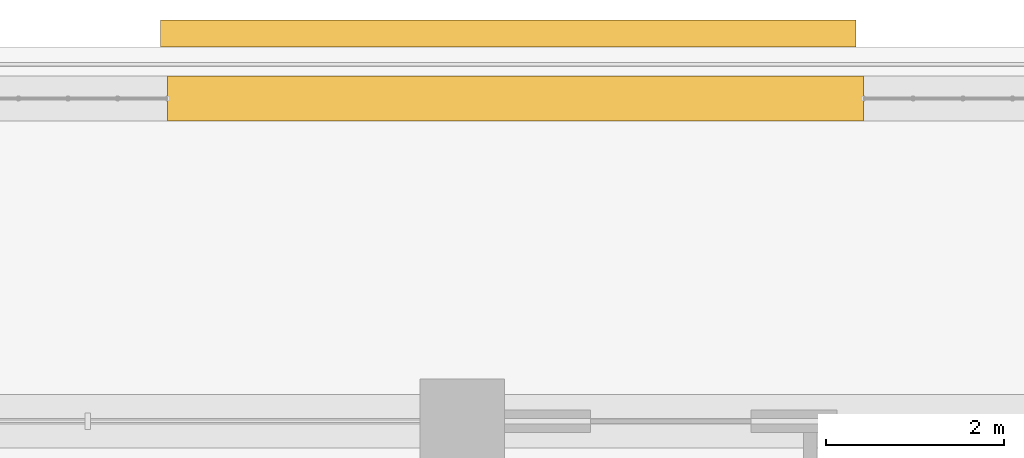
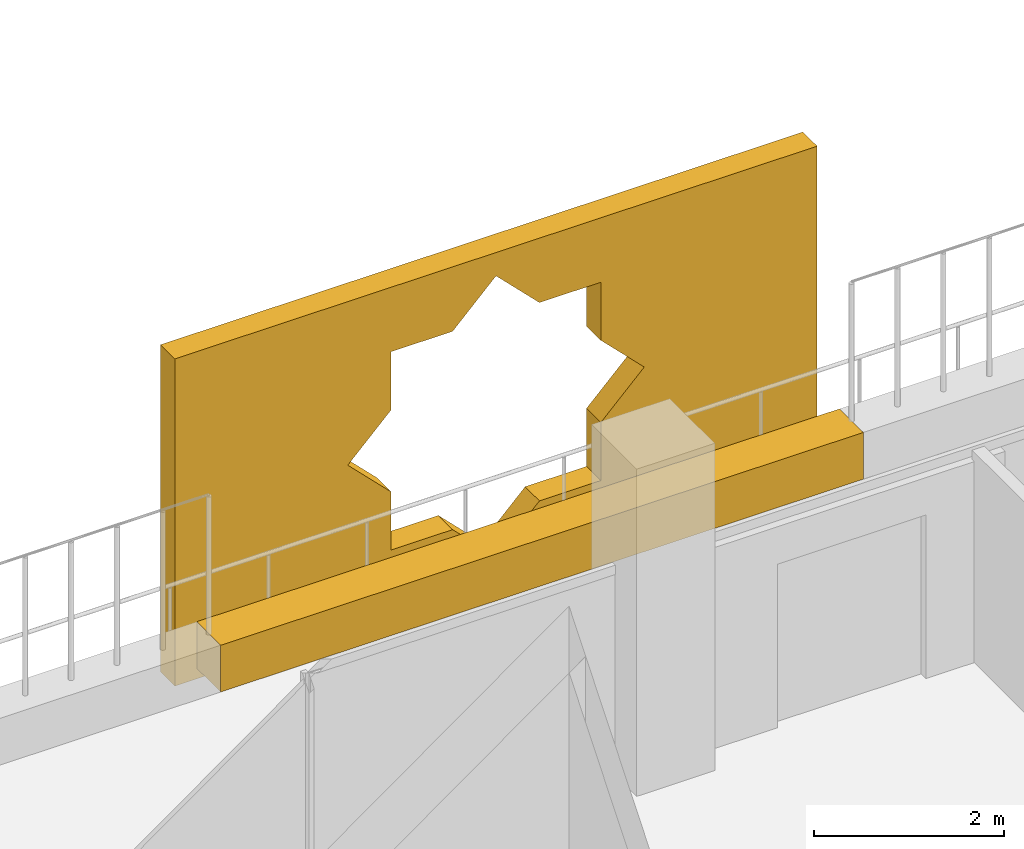
# One storey, part 19 of 22: 2 coverings.
"""IFC4 building model written with IfcOpenShell, lengths in metres."""

from ifc_helpers import new_model, si_unit, direction, frame, origin, origin_2d, place, context, subcontext, project, spatial, polyline, rectangle, outline, extrude, material, material_profile, profile_set, type_object, element, save


model = new_model("IFC4")

# Units and contexts
model_context = context("Model", 3, precision=1e-05, world=origin(), true_north=direction((0.0, 1.0)))
body_context = subcontext(model_context, "Body", "Model", "MODEL_VIEW")
ifc_project = project(units=[si_unit("LENGTHUNIT", "METRE"), si_unit("AREAUNIT", "SQUARE_METRE"), si_unit("VOLUMEUNIT", "CUBIC_METRE"), si_unit("PLANEANGLEUNIT", "RADIAN"), si_unit("MASSUNIT", "GRAM", prefix="KILO")], contexts=[model_context])

# Site, building, storey
site_placement = place(None, origin())
site = spatial("IfcSite", under=ifc_project, at=site_placement, CompositionType="ELEMENT")
building_placement = place(site_placement, origin())
building = spatial("IfcBuilding", under=site, at=building_placement, Name="Kawkab Arch Medical Tower", CompositionType="ELEMENT")
storey_placement = place(building_placement, frame((0.0, 0.0, 179.39990234375)))
storey = spatial("IfcBuildingStorey", under=building, at=storey_placement, Name="L41", CompositionType="ELEMENT", Elevation=179.39990234375)

# Coverings
ifc_material_1 = material(Name="Bronze anodised aluminium mashrabiya panel, eight-point star pattern", Category="aluminium")
ifc_material_profile_1 = material_profile(ifc_material_1, outline(polyline([(-3.89990234375, -2.10009765625), (3.89990234375, -2.10009765625), (3.89990234375, 2.10009765625), (-3.89990234375, 2.10009765625), (-3.89990234375, -2.10009765625)]), holes=[polyline([(1.800048828125, 0.0), (1.272705078125, 0.527099609375), (1.272705078125, 1.272705078125), (0.527099609375, 1.272705078125), (0.0, 1.800048828125), (-0.527099609375, 1.272705078125), (-1.272705078125, 1.272705078125), (-1.272705078125, 0.527099609375), (-1.800048828125, 0.0), (-1.272705078125, -0.527099609375), (-1.272705078125, -1.272705078125), (-0.527099609375, -1.272705078125), (0.0, -1.800048828125), (0.527099609375, -1.272705078125), (1.272705078125, -1.272705078125), (1.272705078125, -0.527099609375), (1.800048828125, 0.0)])]), Name="Mashrabiya panel 7800x4200")
ifc_profile_set_1 = profile_set([ifc_material_profile_1], Name="Bronze anodised aluminium mashrabiya panel, eight-point star pattern")
covering_type_1 = type_object("IfcCoveringType", Name="Mashrabiya panel 7800 x 4200", PredefinedType="USERDEFINED", material=ifc_profile_set_1)
covering_1_placement = place(storey_placement, frame((25.7158203125, 4.199951171875, 1.7001953125), z_axis=(0.0, 1.0, 0.0), x_axis=(-1.0, 0.0, 0.0)))
element("IfcCovering", 1, at=covering_1_placement, inside=storey, type_object=covering_type_1, Name="Mashrabiya panel L41.LOG-01-01.6", ObjectType="SCREEN", PredefinedType="USERDEFINED", context=body_context, shape_type="SweptSolid", body=[
    extrude(outline(polyline([(-3.89990234375, -2.10009765625), (3.89990234375, -2.10009765625), (3.89990234375, 2.10009765625), (-3.89990234375, 2.10009765625), (-3.89990234375, -2.10009765625)]), holes=[polyline([(1.800048828125, 0.0), (1.272705078125, 0.527099609375), (1.272705078125, 1.272705078125), (0.527099609375, 1.272705078125), (0.0, 1.800048828125), (-0.527099609375, 1.272705078125), (-1.272705078125, 1.272705078125), (-1.272705078125, 0.527099609375), (-1.800048828125, 0.0), (-1.272705078125, -0.527099609375), (-1.272705078125, -1.272705078125), (-0.527099609375, -1.272705078125), (0.0, -1.800048828125), (0.527099609375, -1.272705078125), (1.272705078125, -1.272705078125), (1.272705078125, -0.527099609375), (1.800048828125, 0.0)])]), origin(), (0.0, 0.0, 1.0), 0.300048828125),
])
ifc_material_2 = material(Name="Planting soil in a precast trough", Category="concrete")
ifc_material_profile_2 = material_profile(ifc_material_2, rectangle(XDim=0.5, YDim=0.60009765625, at=origin_2d()), Name="Trough 500x600")
ifc_profile_set_2 = profile_set([ifc_material_profile_2], Name="Planting soil in a precast trough")
covering_type_2 = type_object("IfcCoveringType", Name="Planter trough 500 x 600", PredefinedType="USERDEFINED", material=ifc_profile_set_2)
covering_2_placement = place(storey_placement, frame((21.89306640625, 3.6201171875, 0.300048828125), z_axis=(1.0, 0.0, 0.0), x_axis=(0.0, 1.0, 0.0)))
element("IfcCovering", 2, at=covering_2_placement, inside=storey, type_object=covering_type_2, Name="Planter L41.LOG-01-01.20", ObjectType="PLANTER", PredefinedType="USERDEFINED", context=body_context, shape_type="SweptSolid", body=[
    extrude(rectangle(XDim=0.5, YDim=0.60009765625, at=origin_2d()), origin(), (0.0, 0.0, 1.0), 7.804931640625),
])

save(model, "model.ifc")
